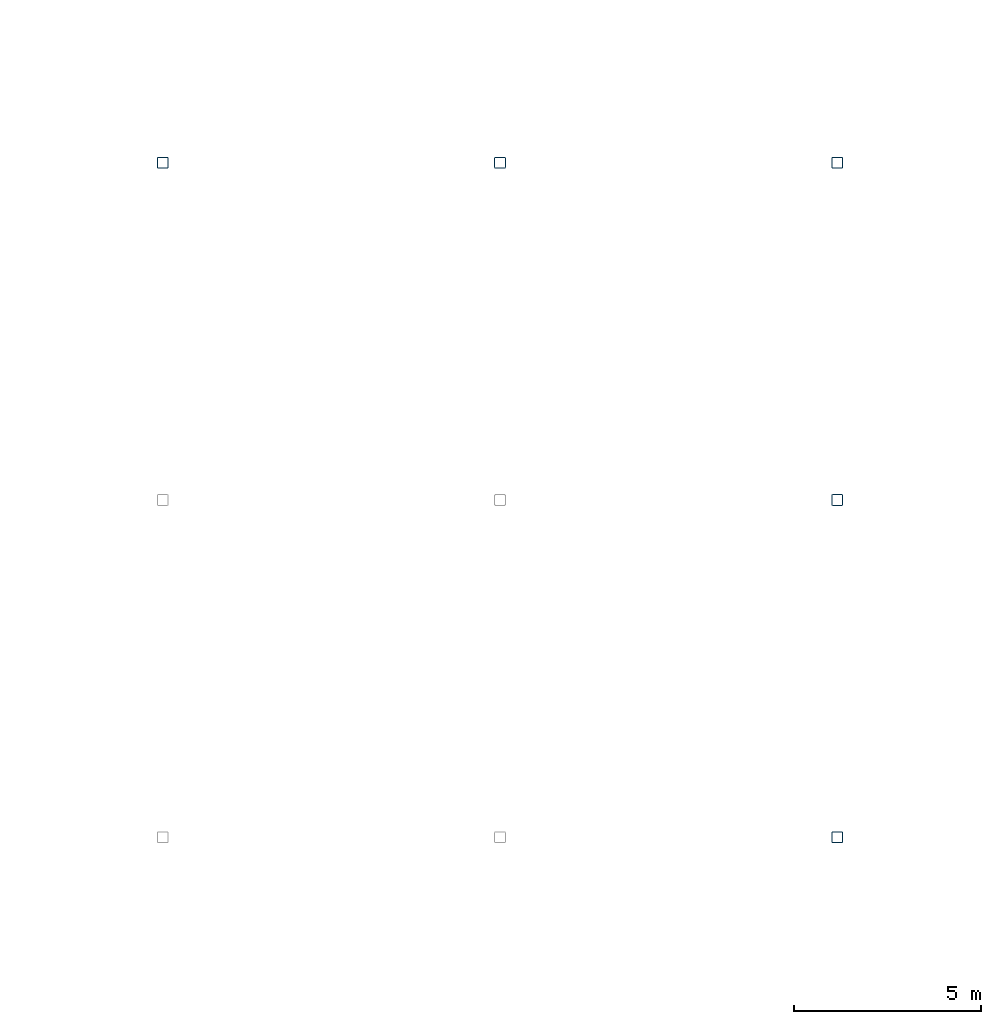
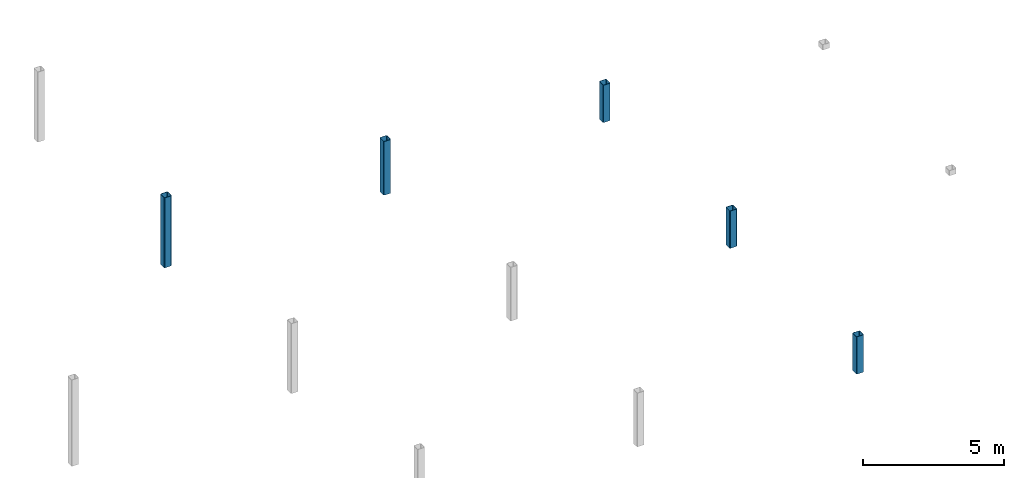
# One storey, part 5 of 15: 5 columns.
"""IFC4 building model written with IfcOpenShell, lengths in metres."""

from ifc_helpers import new_model, si_unit, direction, frame, origin, origin_2d, place, context, subcontext, project, spatial, hollow_rectangle, extrude, material, material_profile, profile_set, type_object, element, save


model = new_model("IFC4")

# Units and contexts
model_context = context("Model", 3, precision=1e-05, world=origin(), true_north=direction((0.0, 1.0)))
body_context = subcontext(model_context, "Body", "Model", "MODEL_VIEW")
ifc_project = project(units=[si_unit("LENGTHUNIT", "METRE"), si_unit("AREAUNIT", "SQUARE_METRE"), si_unit("VOLUMEUNIT", "CUBIC_METRE"), si_unit("PLANEANGLEUNIT", "RADIAN"), si_unit("MASSUNIT", "GRAM", prefix="KILO")], contexts=[model_context])

# Site, building, storey
site_placement = place(None, origin())
site = spatial("IfcSite", under=ifc_project, at=site_placement, CompositionType="ELEMENT")
building_placement = place(site_placement, origin())
building = spatial("IfcBuilding", under=site, at=building_placement, Name="Opaline Strait Convention Centre", CompositionType="ELEMENT")
storey_placement = place(building_placement, frame((0.0, 0.0, 20.10009765625)))
storey = spatial("IfcBuildingStorey", under=building, at=storey_placement, Name="Roof Restaurants and Business Centre", CompositionType="ELEMENT", Elevation=20.10009765625)

# Columns
ifc_material = material(Name="Steel Q355B", Category="steel")
ifc_material_profile = material_profile(ifc_material, hollow_rectangle(XDim=0.300048828125, YDim=0.300048828125, WallThickness=0.011962890625, InnerFilletRadius=0.02392578125, OuterFilletRadius=0.035888671875, at=origin_2d()), Name="RHS 300x300x12")
ifc_profile_set = profile_set([ifc_material_profile], Name="Steel Q355B")
column_type = type_object("IfcColumnType", Name="Roof post RHS 300x300x12", PredefinedType="COLUMN", material=ifc_profile_set)
column_1_placement = place(storey_placement, frame((297.0, 117.0, 0.0), z_axis=(0.0, 0.0, 1.0), x_axis=(1.0, 0.0, 0.0)))
element("IfcColumn", 1, at=column_1_placement, inside=storey, type_object=column_type, Name="MRS1 roof post at 34/P above Roof Restaurants and Business Centre", PredefinedType="COLUMN", context=body_context, shape_type="SweptSolid", body=[
    extrude(hollow_rectangle(XDim=0.300048828125, YDim=0.300048828125, WallThickness=0.011962890625, InnerFilletRadius=0.02392578125, OuterFilletRadius=0.035888671875, at=origin_2d()), origin(), (0.0, 0.0, 1.0), 3.036865234375),
])
column_2_placement = place(storey_placement, frame((306.0, 117.0, 0.0), z_axis=(0.0, 0.0, 1.0), x_axis=(1.0, 0.0, 0.0)))
element("IfcColumn", 2, at=column_2_placement, inside=storey, type_object=column_type, Name="MRS1 roof post at 35/P above Roof Restaurants and Business Centre", PredefinedType="COLUMN", context=body_context, shape_type="SweptSolid", body=[
    extrude(hollow_rectangle(XDim=0.300048828125, YDim=0.300048828125, WallThickness=0.011962890625, InnerFilletRadius=0.02392578125, OuterFilletRadius=0.035888671875, at=origin_2d()), origin(), (0.0, 0.0, 1.0), 2.32861328125),
])
for number, where, z_axis, x_axis, name in (
    (3, (315.0, 99.0, 0.0), (0.0, 0.0, 1.0), (1.0, 0.0, 0.0), "MRS1 roof post at 36/M above Roof Restaurants and Business Centre"),
    (4, (315.0, 108.0, 0.0), (0.0, 0.0, 1.0), (1.0, 0.0, 0.0), "MRS1 roof post at 36/N above Roof Restaurants and Business Centre"),
    (5, (315.0, 117.0, 0.0), (0.0, 0.0, 1.0), (1.0, 0.0, 0.0), "MRS1 roof post at 36/P above Roof Restaurants and Business Centre"),
):
    element("IfcColumn", number, at=place(storey_placement, frame(where, z_axis=z_axis, x_axis=x_axis)), inside=storey, type_object=column_type, Name=name, PredefinedType="COLUMN", context=body_context, shape_type="SweptSolid", body=[
        extrude(hollow_rectangle(XDim=0.300048828125, YDim=0.300048828125, WallThickness=0.011962890625, InnerFilletRadius=0.02392578125, OuterFilletRadius=0.035888671875, at=origin_2d()), origin(), (0.0, 0.0, 1.0), 1.6201171875),
    ])

save(model, "model.ifc")
